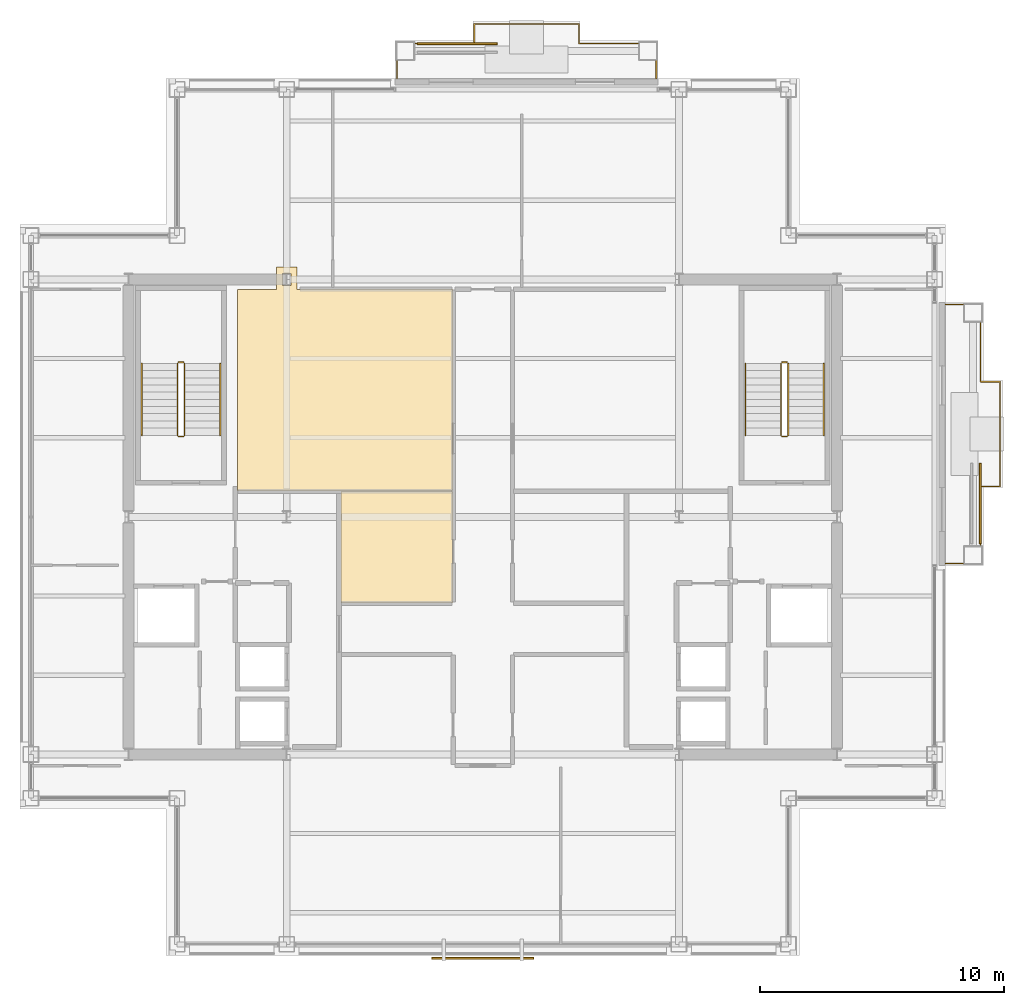
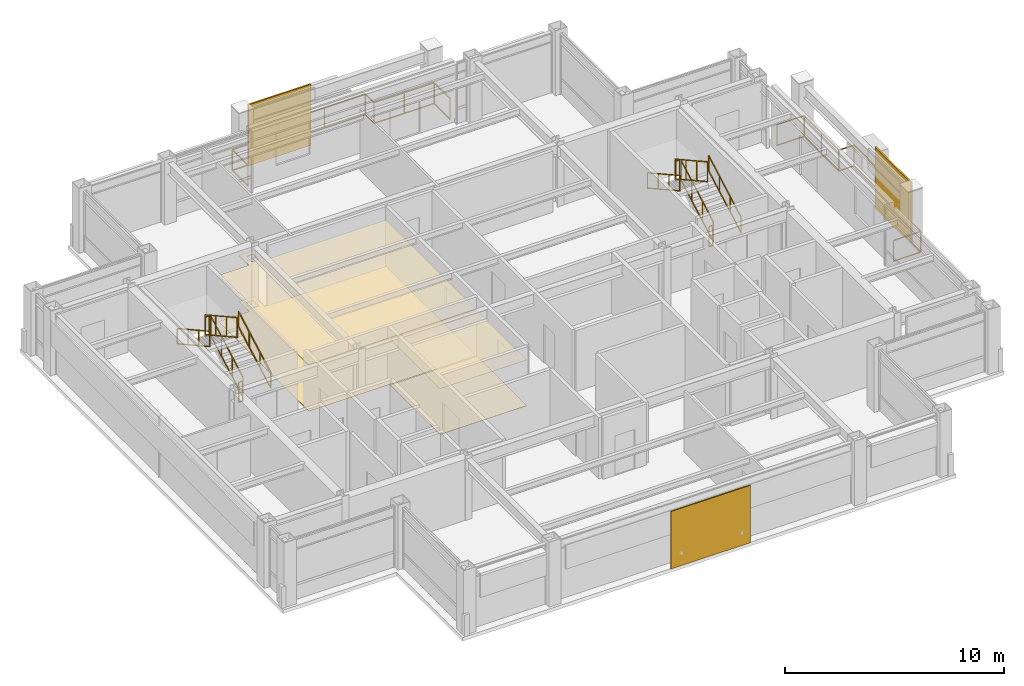
# One storey, part 22 of 23: 14 railings, 4 coverings, 3 shading devices.
"""IFC4 building model written with IfcOpenShell, lengths in metres."""

from ifc_helpers import new_model, si_unit, direction, frame, origin, origin_2d, place, context, subcontext, project, spatial, polyline, rectangle, outline, extrude, material, layer, layer_set, type_object, element, save


model = new_model("IFC4")

# Units and contexts
model_context = context("Model", 3, precision=1e-05, world=origin(), true_north=direction((0.0, 1.0)))
body_context = subcontext(model_context, "Body", "Model", "MODEL_VIEW")
ifc_project = project(units=[si_unit("LENGTHUNIT", "METRE"), si_unit("AREAUNIT", "SQUARE_METRE"), si_unit("VOLUMEUNIT", "CUBIC_METRE"), si_unit("PLANEANGLEUNIT", "RADIAN"), si_unit("MASSUNIT", "GRAM", prefix="KILO")], contexts=[model_context])

# Site, building, storey
site_placement = place(None, origin())
site = spatial("IfcSite", under=ifc_project, at=site_placement, CompositionType="ELEMENT")
building_placement = place(site_placement, origin())
building = spatial("IfcBuilding", under=site, at=building_placement, Name="Brelmoor Portico Tower", CompositionType="ELEMENT")
storey_placement = place(building_placement, frame((0.0, 0.0, 222.0)))
storey = spatial("IfcBuildingStorey", under=building, at=storey_placement, Name="L58", CompositionType="ELEMENT", Elevation=222.0)

# Coverings
ifc_material_1 = material(Name="Perforated Mineral-Fibre Acoustic Ceiling Tile", Category="gypsum")
ifc_layer_1 = layer(ifc_material_1, 0.02490234375)
ifc_layer_set_1 = layer_set([ifc_layer_1], Name="Perforated Mineral-Fibre Acoustic Ceiling Tile")
covering_type_1 = type_object("IfcCoveringType", Name="CV-CEIL-GYPSUM-25", PredefinedType="CEILING", material=ifc_layer_set_1)
covering_1_placement = place(storey_placement, frame((0.0, 0.0, 2.550048828125)))
element("IfcCovering", 1, at=covering_1_placement, inside=storey, type_object=covering_type_1, Name="L58 Acoustic Suspended Ceiling 02", PredefinedType="CEILING", context=body_context, shape_type="SweptSolid", body=[
    extrude(outline(polyline([(-5.820068359375, -3.510009765625), (-5.820068359375, 1.0400390625), (-1.239990234375, 1.0400390625), (-1.239990234375, -3.510009765625), (-5.820068359375, -3.510009765625)])), origin(), (0.0, 0.0, 1.0), 0.02490234375),
])
ifc_material_2 = material(Name="Slatted FSC Oak Acoustic Feature Ceiling", Category="timber")
ifc_layer_2 = layer(ifc_material_2, 0.052001953125)
ifc_layer_set_2 = layer_set([ifc_layer_2], Name="Slatted FSC Oak Acoustic Feature Ceiling")
covering_type_2 = type_object("IfcCoveringType", Name="CV-CEIL-TIMBER-52", PredefinedType="CEILING", material=ifc_layer_set_2)
covering_2_placement = place(storey_placement, frame((0.0, 0.0, 2.550048828125)))
element("IfcCovering", 2, at=covering_2_placement, inside=storey, type_object=covering_type_2, Name="L58 Acoustic Suspended Ceiling 01", PredefinedType="CEILING", context=body_context, shape_type="SweptSolid", body=[
    extrude(outline(polyline([(-10.080078125, 9.330078125), (-8.47509765625, 9.330078125), (-8.47509765625, 10.25), (-7.625, 10.25), (-7.625, 9.330078125), (-1.239990234375, 9.330078125), (-1.239990234375, 1.090087890625), (-10.080078125, 1.090087890625), (-10.080078125, 9.330078125)]), holes=[polyline([(-7.875, 9.5), (-7.875, 10.0), (-8.22509765625, 10.0), (-8.22509765625, 9.5), (-7.875, 9.5)])]), origin(), (0.0, 0.0, 1.0), 0.052001953125),
])
ifc_material_3 = material(Name="Rectified Vitrified Porcelain Floor Tile", Category="ceramic")
ifc_layer_3 = layer(ifc_material_3, 0.01806640625)
ifc_layer_set_3 = layer_set([ifc_layer_3], Name="Rectified Vitrified Porcelain Floor Tile")
covering_type_3 = type_object("IfcCoveringType", Name="CV-FLR-PORCELAIN-18", PredefinedType="FLOORING", material=ifc_layer_set_3)
covering_3_placement = place(storey_placement, origin())
element("IfcCovering", 3, at=covering_3_placement, inside=storey, type_object=covering_type_3, Name="L58 Architectural Floor Finish 01", PredefinedType="FLOORING", context=body_context, shape_type="SweptSolid", body=[
    extrude(outline(polyline([(-10.080078125, 9.330078125), (-8.47509765625, 9.330078125), (-8.47509765625, 10.25), (-7.625, 10.25), (-7.625, 9.330078125), (-1.239990234375, 9.330078125), (-1.239990234375, 1.090087890625), (-10.080078125, 1.090087890625), (-10.080078125, 9.330078125)]), holes=[polyline([(-7.875, 9.5), (-7.875, 10.0), (-8.22509765625, 10.0), (-8.22509765625, 9.5), (-7.875, 9.5)])]), origin(), (0.0, 0.0, 1.0), 0.01806640625),
])
ifc_material_4 = material(Name="Engineered Quarter-Sawn Oak Parquet Flooring", Category="timber")
ifc_layer_4 = layer(ifc_material_4, 0.02197265625)
ifc_layer_set_4 = layer_set([ifc_layer_4], Name="Engineered Quarter-Sawn Oak Parquet Flooring")
covering_type_4 = type_object("IfcCoveringType", Name="CV-FLR-TIMBER-22", PredefinedType="FLOORING", material=ifc_layer_set_4)
covering_4_placement = place(storey_placement, origin())
element("IfcCovering", 4, at=covering_4_placement, inside=storey, type_object=covering_type_4, Name="L58 Architectural Floor Finish 02", PredefinedType="FLOORING", context=body_context, shape_type="SweptSolid", body=[
    extrude(outline(polyline([(-5.820068359375, -3.510009765625), (-5.820068359375, 1.0400390625), (-1.239990234375, 1.0400390625), (-1.239990234375, -3.510009765625), (-5.820068359375, -3.510009765625)])), origin(), (0.0, 0.0, 1.0), 0.02197265625),
])

# Railings
ifc_material_5 = material(Name="Perforated Pale Champagne Aluminium Fretwork Guard", Category="aluminium")
railing_type_1 = type_object("IfcRailingType", Name="RL-BALUSTRADE-1200", PredefinedType="BALUSTRADE", material=ifc_material_5)
railing_1_placement = place(storey_placement, frame((-3.52001953125, 18.0, 0.0)))
element("IfcRailing", 5, at=railing_1_placement, inside=storey, type_object=railing_type_1, Name="L58 Tree Balcony Fretwork Balustrade N", PredefinedType="BALUSTRADE", context=body_context, shape_type="SweptSolid", body=[
    extrude(rectangle(XDim=0.048095703125, YDim=0.048095703125, at=origin_2d()), frame((0.0, 0.0, 1.17578125), z_axis=(0.0, 1.0, 0.0), x_axis=(-1.0, 0.0, 0.0)), (0.0, 0.0, 1.0), 1.429931640625),
    extrude(rectangle(XDim=0.048095703125, YDim=0.048095703125, at=origin_2d()), frame((0.0, 0.0, 0.02392578125), z_axis=(0.0, 1.0, 0.0), x_axis=(-1.0, 0.0, 0.0)), (0.0, 0.0, 1.0), 1.429931640625),
    extrude(rectangle(XDim=0.048095703125, YDim=0.048095703125, at=origin_2d()), frame((0.0, 1.429931640625, 1.17578125), z_axis=(1.0, 0.0, 0.0), x_axis=(0.0, 1.0, 0.0)), (0.0, 0.0, 1.0), 3.169921875),
    extrude(rectangle(XDim=0.048095703125, YDim=0.048095703125, at=origin_2d()), frame((0.0, 1.429931640625, 0.02392578125), z_axis=(1.0, 0.0, 0.0), x_axis=(0.0, 1.0, 0.0)), (0.0, 0.0, 1.0), 3.169921875),
    extrude(rectangle(XDim=0.048095703125, YDim=0.048095703125, at=origin_2d()), frame((3.169921875, 1.429931640625, 1.17578125), z_axis=(0.0, 1.0, 0.0), x_axis=(-1.0, 0.0, 0.0)), (0.0, 0.0, 1.0), 0.800048828125),
    extrude(rectangle(XDim=0.048095703125, YDim=0.048095703125, at=origin_2d()), frame((3.169921875, 1.429931640625, 0.02392578125), z_axis=(0.0, 1.0, 0.0), x_axis=(-1.0, 0.0, 0.0)), (0.0, 0.0, 1.0), 0.800048828125),
    extrude(rectangle(XDim=0.048095703125, YDim=0.048095703125, at=origin_2d()), frame((3.169921875, 2.22998046875, 1.17578125), z_axis=(1.0, 0.0, 0.0), x_axis=(0.0, 1.0, 0.0)), (0.0, 0.0, 1.0), 4.300048828125),
    extrude(rectangle(XDim=0.048095703125, YDim=0.048095703125, at=origin_2d()), frame((3.169921875, 2.22998046875, 0.02392578125), z_axis=(1.0, 0.0, 0.0), x_axis=(0.0, 1.0, 0.0)), (0.0, 0.0, 1.0), 4.300048828125),
    extrude(rectangle(XDim=0.048095703125, YDim=0.048095703125, at=origin_2d()), frame((7.469970703125, 2.22998046875, 1.17578125), z_axis=(0.0, -1.0, 0.0), x_axis=(1.0, 0.0, 0.0)), (0.0, 0.0, 1.0), 0.800048828125),
    extrude(rectangle(XDim=0.048095703125, YDim=0.048095703125, at=origin_2d()), frame((7.469970703125, 2.22998046875, 0.02392578125), z_axis=(0.0, -1.0, 0.0), x_axis=(1.0, 0.0, 0.0)), (0.0, 0.0, 1.0), 0.800048828125),
    extrude(rectangle(XDim=0.048095703125, YDim=0.048095703125, at=origin_2d()), frame((7.469970703125, 1.429931640625, 1.17578125), z_axis=(1.0, 0.0, 0.0), x_axis=(0.0, 1.0, 0.0)), (0.0, 0.0, 1.0), 3.170166015625),
    extrude(rectangle(XDim=0.048095703125, YDim=0.048095703125, at=origin_2d()), frame((7.469970703125, 1.429931640625, 0.02392578125), z_axis=(1.0, 0.0, 0.0), x_axis=(0.0, 1.0, 0.0)), (0.0, 0.0, 1.0), 3.170166015625),
    extrude(rectangle(XDim=0.048095703125, YDim=0.048095703125, at=origin_2d()), frame((10.64013671875, 1.429931640625, 1.17578125), z_axis=(0.0, -1.0, 0.0), x_axis=(1.0, 0.0, 0.0)), (0.0, 0.0, 1.0), 1.429931640625),
    extrude(rectangle(XDim=0.048095703125, YDim=0.048095703125, at=origin_2d()), frame((10.64013671875, 1.429931640625, 0.02392578125), z_axis=(0.0, -1.0, 0.0), x_axis=(1.0, 0.0, 0.0)), (0.0, 0.0, 1.0), 1.429931640625),
    extrude(rectangle(XDim=0.0419921875, YDim=0.0419921875, at=origin_2d()), origin(), (0.0, 0.0, 1.0), 1.15185546875),
    extrude(rectangle(XDim=0.0419921875, YDim=0.0419921875, at=origin_2d()), frame((0.0, 1.429931640625, 0.0)), (0.0, 0.0, 1.0), 1.15185546875),
    extrude(rectangle(XDim=0.0419921875, YDim=0.0419921875, at=origin_2d()), frame((1.5849609375, 1.429931640625, 0.0)), (0.0, 0.0, 1.0), 1.15185546875),
    extrude(rectangle(XDim=0.0419921875, YDim=0.0419921875, at=origin_2d()), frame((3.169921875, 1.429931640625, 0.0)), (0.0, 0.0, 1.0), 1.15185546875),
    extrude(rectangle(XDim=0.0419921875, YDim=0.0419921875, at=origin_2d()), frame((3.169921875, 2.22998046875, 0.0)), (0.0, 0.0, 1.0), 1.15185546875),
    extrude(rectangle(XDim=0.0419921875, YDim=0.0419921875, at=origin_2d()), frame((5.31982421875, 2.22998046875, 0.0)), (0.0, 0.0, 1.0), 1.15185546875),
    extrude(rectangle(XDim=0.0419921875, YDim=0.0419921875, at=origin_2d()), frame((7.469970703125, 2.22998046875, 0.0)), (0.0, 0.0, 1.0), 1.15185546875),
    extrude(rectangle(XDim=0.0419921875, YDim=0.0419921875, at=origin_2d()), frame((7.469970703125, 1.429931640625, 0.0)), (0.0, 0.0, 1.0), 1.15185546875),
    extrude(rectangle(XDim=0.0419921875, YDim=0.0419921875, at=origin_2d()), frame((9.05517578125, 1.429931640625, 0.0)), (0.0, 0.0, 1.0), 1.15185546875),
    extrude(rectangle(XDim=0.0419921875, YDim=0.0419921875, at=origin_2d()), frame((10.64013671875, 1.429931640625, 0.0)), (0.0, 0.0, 1.0), 1.15185546875),
    extrude(rectangle(XDim=0.0419921875, YDim=0.0419921875, at=origin_2d()), frame((10.64013671875, 0.0, 0.0)), (0.0, 0.0, 1.0), 1.15185546875),
])
railing_2_placement = place(storey_placement, frame((19.0, -1.919921875, 0.0)))
element("IfcRailing", 6, at=railing_2_placement, inside=storey, type_object=railing_type_1, Name="L58 Tree Balcony Fretwork Balustrade E", PredefinedType="BALUSTRADE", context=body_context, shape_type="SweptSolid", body=[
    extrude(rectangle(XDim=0.048095703125, YDim=0.048095703125, at=origin_2d()), frame((0.0, 0.0, 1.17578125), z_axis=(1.0, 0.0, 0.0), x_axis=(0.0, 1.0, 0.0)), (0.0, 0.0, 1.0), 1.429931640625),
    extrude(rectangle(XDim=0.048095703125, YDim=0.048095703125, at=origin_2d()), frame((0.0, 0.0, 0.02392578125), z_axis=(1.0, 0.0, 0.0), x_axis=(0.0, 1.0, 0.0)), (0.0, 0.0, 1.0), 1.429931640625),
    extrude(rectangle(XDim=0.048095703125, YDim=0.048095703125, at=origin_2d()), frame((1.429931640625, 0.0, 1.17578125), z_axis=(0.0, 1.0, 0.0), x_axis=(-1.0, 0.0, 0.0)), (0.0, 0.0, 1.0), 3.169921875),
    extrude(rectangle(XDim=0.048095703125, YDim=0.048095703125, at=origin_2d()), frame((1.429931640625, 0.0, 0.02392578125), z_axis=(0.0, 1.0, 0.0), x_axis=(-1.0, 0.0, 0.0)), (0.0, 0.0, 1.0), 3.169921875),
    extrude(rectangle(XDim=0.048095703125, YDim=0.048095703125, at=origin_2d()), frame((1.429931640625, 3.169921875, 1.17578125), z_axis=(1.0, 0.0, 0.0), x_axis=(0.0, 1.0, 0.0)), (0.0, 0.0, 1.0), 0.800048828125),
    extrude(rectangle(XDim=0.048095703125, YDim=0.048095703125, at=origin_2d()), frame((1.429931640625, 3.169921875, 0.02392578125), z_axis=(1.0, 0.0, 0.0), x_axis=(0.0, 1.0, 0.0)), (0.0, 0.0, 1.0), 0.800048828125),
    extrude(rectangle(XDim=0.048095703125, YDim=0.048095703125, at=origin_2d()), frame((2.22998046875, 3.169921875, 1.17578125), z_axis=(0.0, 1.0, 0.0), x_axis=(-1.0, 0.0, 0.0)), (0.0, 0.0, 1.0), 4.300048828125),
    extrude(rectangle(XDim=0.048095703125, YDim=0.048095703125, at=origin_2d()), frame((2.22998046875, 3.169921875, 0.02392578125), z_axis=(0.0, 1.0, 0.0), x_axis=(-1.0, 0.0, 0.0)), (0.0, 0.0, 1.0), 4.300048828125),
    extrude(rectangle(XDim=0.048095703125, YDim=0.048095703125, at=origin_2d()), frame((2.22998046875, 7.469970703125, 1.17578125), z_axis=(-1.0, 0.0, 0.0), x_axis=(0.0, -1.0, 0.0)), (0.0, 0.0, 1.0), 0.800048828125),
    extrude(rectangle(XDim=0.048095703125, YDim=0.048095703125, at=origin_2d()), frame((2.22998046875, 7.469970703125, 0.02392578125), z_axis=(-1.0, 0.0, 0.0), x_axis=(0.0, -1.0, 0.0)), (0.0, 0.0, 1.0), 0.800048828125),
    extrude(rectangle(XDim=0.048095703125, YDim=0.048095703125, at=origin_2d()), frame((1.429931640625, 7.469970703125, 1.17578125), z_axis=(0.0, 1.0, 0.0), x_axis=(-1.0, 0.0, 0.0)), (0.0, 0.0, 1.0), 3.169921875),
    extrude(rectangle(XDim=0.048095703125, YDim=0.048095703125, at=origin_2d()), frame((1.429931640625, 7.469970703125, 0.02392578125), z_axis=(0.0, 1.0, 0.0), x_axis=(-1.0, 0.0, 0.0)), (0.0, 0.0, 1.0), 3.169921875),
    extrude(rectangle(XDim=0.048095703125, YDim=0.048095703125, at=origin_2d()), frame((1.429931640625, 10.639892578125, 1.17578125), z_axis=(-1.0, 0.0, 0.0), x_axis=(0.0, -1.0, 0.0)), (0.0, 0.0, 1.0), 1.429931640625),
    extrude(rectangle(XDim=0.048095703125, YDim=0.048095703125, at=origin_2d()), frame((1.429931640625, 10.639892578125, 0.02392578125), z_axis=(-1.0, 0.0, 0.0), x_axis=(0.0, -1.0, 0.0)), (0.0, 0.0, 1.0), 1.429931640625),
    extrude(rectangle(XDim=0.0419921875, YDim=0.0419921875, at=origin_2d()), origin(), (0.0, 0.0, 1.0), 1.15185546875),
    extrude(rectangle(XDim=0.0419921875, YDim=0.0419921875, at=origin_2d()), frame((1.429931640625, 0.0, 0.0)), (0.0, 0.0, 1.0), 1.15185546875),
    extrude(rectangle(XDim=0.0419921875, YDim=0.0419921875, at=origin_2d()), frame((1.429931640625, 1.5849609375, 0.0)), (0.0, 0.0, 1.0), 1.15185546875),
    extrude(rectangle(XDim=0.0419921875, YDim=0.0419921875, at=origin_2d()), frame((1.429931640625, 3.169921875, 0.0)), (0.0, 0.0, 1.0), 1.15185546875),
    extrude(rectangle(XDim=0.0419921875, YDim=0.0419921875, at=origin_2d()), frame((2.22998046875, 3.169921875, 0.0)), (0.0, 0.0, 1.0), 1.15185546875),
    extrude(rectangle(XDim=0.0419921875, YDim=0.0419921875, at=origin_2d()), frame((2.22998046875, 5.31982421875, 0.0)), (0.0, 0.0, 1.0), 1.15185546875),
    extrude(rectangle(XDim=0.0419921875, YDim=0.0419921875, at=origin_2d()), frame((2.22998046875, 7.469970703125, 0.0)), (0.0, 0.0, 1.0), 1.15185546875),
    extrude(rectangle(XDim=0.0419921875, YDim=0.0419921875, at=origin_2d()), frame((1.429931640625, 7.469970703125, 0.0)), (0.0, 0.0, 1.0), 1.15185546875),
    extrude(rectangle(XDim=0.0419921875, YDim=0.0419921875, at=origin_2d()), frame((1.429931640625, 9.054931640625, 0.0)), (0.0, 0.0, 1.0), 1.15185546875),
    extrude(rectangle(XDim=0.0419921875, YDim=0.0419921875, at=origin_2d()), frame((1.429931640625, 10.639892578125, 0.0)), (0.0, 0.0, 1.0), 1.15185546875),
    extrude(rectangle(XDim=0.0419921875, YDim=0.0419921875, at=origin_2d()), frame((0.0, 10.639892578125, 0.0)), (0.0, 0.0, 1.0), 1.15185546875),
])
ifc_material_6 = material(Name="Painted Tubular Steel Q235B", Category="steel")
railing_type_2 = type_object("IfcRailingType", Name="RL-STAIR-GUARD", PredefinedType="GUARDRAIL", material=ifc_material_6)
railing_3_placement = place(storey_placement, frame((-12.239990234375, 3.35009765625, 0.16357421875)))
element("IfcRailing", 7, at=railing_3_placement, inside=storey, type_object=railing_type_2, Name="L58 ST-W stair guard 1", PredefinedType="GUARDRAIL", context=body_context, shape_type="SweptSolid", body=[
    extrude(rectangle(XDim=0.048095703125, YDim=0.048095703125, at=origin_2d()), frame((0.0, 0.0, 1.1259765625), z_axis=(0.0, 0.874457516365, 0.485102104791), x_axis=(-1.0, 0.0, 0.0)), (0.0, 0.0, 1.0), 3.37353515625),
    extrude(rectangle(XDim=0.048095703125, YDim=0.048095703125, at=origin_2d()), frame((0.0, 0.0, 0.02392578125), z_axis=(0.0, 0.874457516365, 0.485102104791), x_axis=(-1.0, 0.0, 0.0)), (0.0, 0.0, 1.0), 3.37353515625),
    extrude(rectangle(XDim=0.0419921875, YDim=0.0419921875, at=origin_2d()), origin(), (0.0, 0.0, 1.0), 1.101806640625),
    extrude(rectangle(XDim=0.0419921875, YDim=0.0419921875, at=origin_2d()), frame((0.0, 0.9833984375, 0.54541015625)), (0.0, 0.0, 1.0), 1.101806640625),
    extrude(rectangle(XDim=0.0419921875, YDim=0.0419921875, at=origin_2d()), frame((0.0, 1.966552734375, 1.091064453125)), (0.0, 0.0, 1.0), 1.101806640625),
    extrude(rectangle(XDim=0.0419921875, YDim=0.0419921875, at=origin_2d()), frame((0.0, 2.949951171875, 1.636474609375)), (0.0, 0.0, 1.0), 1.101806640625),
])
railing_4_placement = place(storey_placement, frame((-12.2900390625, 6.35009765625, 1.800048828125)))
element("IfcRailing", 8, at=railing_4_placement, inside=storey, type_object=railing_type_2, Name="L58 ST-W stair guard 2", PredefinedType="GUARDRAIL", context=body_context, shape_type="SweptSolid", body=[
    extrude(rectangle(XDim=0.048095703125, YDim=0.048095703125, at=origin_2d()), frame((0.0, 0.0, 1.1259765625), z_axis=(-1.0, 0.0, 0.0), x_axis=(0.0, -1.0, 0.0)), (0.0, 0.0, 1.0), 0.199951171875),
    extrude(rectangle(XDim=0.048095703125, YDim=0.048095703125, at=origin_2d()), frame((0.0, 0.0, 0.02392578125), z_axis=(-1.0, 0.0, 0.0), x_axis=(0.0, -1.0, 0.0)), (0.0, 0.0, 1.0), 0.199951171875),
    extrude(rectangle(XDim=0.0419921875, YDim=0.0419921875, at=origin_2d()), origin(), (0.0, 0.0, 1.0), 1.101806640625),
    extrude(rectangle(XDim=0.0419921875, YDim=0.0419921875, at=origin_2d()), frame((-0.199951171875, 0.0, 0.0)), (0.0, 0.0, 1.0), 1.101806640625),
])
railing_5_placement = place(storey_placement, frame((-12.5400390625, 6.300048828125, 1.963623046875)))
element("IfcRailing", 9, at=railing_5_placement, inside=storey, type_object=railing_type_2, Name="L58 ST-W stair guard 3", PredefinedType="GUARDRAIL", context=body_context, shape_type="SweptSolid", body=[
    extrude(rectangle(XDim=0.048095703125, YDim=0.048095703125, at=origin_2d()), frame((0.0, 0.0, 1.1259765625), z_axis=(0.0, -0.874457516365, 0.485102104791), x_axis=(1.0, 0.0, 0.0)), (0.0, 0.0, 1.0), 3.37353515625),
    extrude(rectangle(XDim=0.048095703125, YDim=0.048095703125, at=origin_2d()), frame((0.0, 0.0, 0.02392578125), z_axis=(0.0, -0.874457516365, 0.485102104791), x_axis=(1.0, 0.0, 0.0)), (0.0, 0.0, 1.0), 3.37353515625),
    extrude(rectangle(XDim=0.0419921875, YDim=0.0419921875, at=origin_2d()), origin(), (0.0, 0.0, 1.0), 1.101806640625),
    extrude(rectangle(XDim=0.0419921875, YDim=0.0419921875, at=origin_2d()), frame((0.0, -0.9833984375, 0.54541015625)), (0.0, 0.0, 1.0), 1.101806640625),
    extrude(rectangle(XDim=0.0419921875, YDim=0.0419921875, at=origin_2d()), frame((0.0, -1.966552734375, 1.091064453125)), (0.0, 0.0, 1.0), 1.101806640625),
    extrude(rectangle(XDim=0.0419921875, YDim=0.0419921875, at=origin_2d()), frame((0.0, -2.949951171875, 1.636474609375)), (0.0, 0.0, 1.0), 1.101806640625),
])
railing_6_placement = place(storey_placement, frame((-12.2900390625, 3.300048828125, 0.0)))
element("IfcRailing", 10, at=railing_6_placement, inside=storey, type_object=railing_type_2, Name="L58 ST-W stair guard 4", PredefinedType="GUARDRAIL", context=body_context, shape_type="SweptSolid", body=[
    extrude(rectangle(XDim=0.048095703125, YDim=0.048095703125, at=origin_2d()), frame((0.0, 0.0, 1.1259765625), z_axis=(-1.0, 0.0, 0.0), x_axis=(0.0, -1.0, 0.0)), (0.0, 0.0, 1.0), 0.199951171875),
    extrude(rectangle(XDim=0.048095703125, YDim=0.048095703125, at=origin_2d()), frame((0.0, 0.0, 0.02392578125), z_axis=(-1.0, 0.0, 0.0), x_axis=(0.0, -1.0, 0.0)), (0.0, 0.0, 1.0), 0.199951171875),
    extrude(rectangle(XDim=0.0419921875, YDim=0.0419921875, at=origin_2d()), origin(), (0.0, 0.0, 1.0), 1.101806640625),
    extrude(rectangle(XDim=0.0419921875, YDim=0.0419921875, at=origin_2d()), frame((-0.199951171875, 0.0, 0.0)), (0.0, 0.0, 1.0), 1.101806640625),
])
railing_7_placement = place(storey_placement, frame((12.5400390625, 3.35009765625, 0.16357421875)))
element("IfcRailing", 11, at=railing_7_placement, inside=storey, type_object=railing_type_2, Name="L58 ST-E stair guard 1", PredefinedType="GUARDRAIL", context=body_context, shape_type="SweptSolid", body=[
    extrude(rectangle(XDim=0.048095703125, YDim=0.048095703125, at=origin_2d()), frame((0.0, 0.0, 1.1259765625), z_axis=(0.0, 0.874457516365, 0.485102104791), x_axis=(-1.0, 0.0, 0.0)), (0.0, 0.0, 1.0), 3.37353515625),
    extrude(rectangle(XDim=0.048095703125, YDim=0.048095703125, at=origin_2d()), frame((0.0, 0.0, 0.02392578125), z_axis=(0.0, 0.874457516365, 0.485102104791), x_axis=(-1.0, 0.0, 0.0)), (0.0, 0.0, 1.0), 3.37353515625),
    extrude(rectangle(XDim=0.0419921875, YDim=0.0419921875, at=origin_2d()), origin(), (0.0, 0.0, 1.0), 1.101806640625),
    extrude(rectangle(XDim=0.0419921875, YDim=0.0419921875, at=origin_2d()), frame((0.0, 0.9833984375, 0.54541015625)), (0.0, 0.0, 1.0), 1.101806640625),
    extrude(rectangle(XDim=0.0419921875, YDim=0.0419921875, at=origin_2d()), frame((0.0, 1.966552734375, 1.091064453125)), (0.0, 0.0, 1.0), 1.101806640625),
    extrude(rectangle(XDim=0.0419921875, YDim=0.0419921875, at=origin_2d()), frame((0.0, 2.949951171875, 1.636474609375)), (0.0, 0.0, 1.0), 1.101806640625),
])
railing_8_placement = place(storey_placement, frame((12.489990234375, 6.35009765625, 1.800048828125)))
element("IfcRailing", 12, at=railing_8_placement, inside=storey, type_object=railing_type_2, Name="L58 ST-E stair guard 2", PredefinedType="GUARDRAIL", context=body_context, shape_type="SweptSolid", body=[
    extrude(rectangle(XDim=0.048095703125, YDim=0.048095703125, at=origin_2d()), frame((0.0, 0.0, 1.1259765625), z_axis=(-1.0, 0.0, 0.0), x_axis=(0.0, -1.0, 0.0)), (0.0, 0.0, 1.0), 0.199951171875),
    extrude(rectangle(XDim=0.048095703125, YDim=0.048095703125, at=origin_2d()), frame((0.0, 0.0, 0.02392578125), z_axis=(-1.0, 0.0, 0.0), x_axis=(0.0, -1.0, 0.0)), (0.0, 0.0, 1.0), 0.199951171875),
    extrude(rectangle(XDim=0.0419921875, YDim=0.0419921875, at=origin_2d()), origin(), (0.0, 0.0, 1.0), 1.101806640625),
    extrude(rectangle(XDim=0.0419921875, YDim=0.0419921875, at=origin_2d()), frame((-0.199951171875, 0.0, 0.0)), (0.0, 0.0, 1.0), 1.101806640625),
])
railing_9_placement = place(storey_placement, frame((12.239990234375, 6.300048828125, 1.963623046875)))
element("IfcRailing", 13, at=railing_9_placement, inside=storey, type_object=railing_type_2, Name="L58 ST-E stair guard 3", PredefinedType="GUARDRAIL", context=body_context, shape_type="SweptSolid", body=[
    extrude(rectangle(XDim=0.048095703125, YDim=0.048095703125, at=origin_2d()), frame((0.0, 0.0, 1.1259765625), z_axis=(0.0, -0.874457516365, 0.485102104791), x_axis=(1.0, 0.0, 0.0)), (0.0, 0.0, 1.0), 3.37353515625),
    extrude(rectangle(XDim=0.048095703125, YDim=0.048095703125, at=origin_2d()), frame((0.0, 0.0, 0.02392578125), z_axis=(0.0, -0.874457516365, 0.485102104791), x_axis=(1.0, 0.0, 0.0)), (0.0, 0.0, 1.0), 3.37353515625),
    extrude(rectangle(XDim=0.0419921875, YDim=0.0419921875, at=origin_2d()), origin(), (0.0, 0.0, 1.0), 1.101806640625),
    extrude(rectangle(XDim=0.0419921875, YDim=0.0419921875, at=origin_2d()), frame((0.0, -0.9833984375, 0.54541015625)), (0.0, 0.0, 1.0), 1.101806640625),
    extrude(rectangle(XDim=0.0419921875, YDim=0.0419921875, at=origin_2d()), frame((0.0, -1.966552734375, 1.091064453125)), (0.0, 0.0, 1.0), 1.101806640625),
    extrude(rectangle(XDim=0.0419921875, YDim=0.0419921875, at=origin_2d()), frame((0.0, -2.949951171875, 1.636474609375)), (0.0, 0.0, 1.0), 1.101806640625),
])
railing_10_placement = place(storey_placement, frame((12.489990234375, 3.300048828125, 0.0)))
element("IfcRailing", 14, at=railing_10_placement, inside=storey, type_object=railing_type_2, Name="L58 ST-E stair guard 4", PredefinedType="GUARDRAIL", context=body_context, shape_type="SweptSolid", body=[
    extrude(rectangle(XDim=0.048095703125, YDim=0.048095703125, at=origin_2d()), frame((0.0, 0.0, 1.1259765625), z_axis=(-1.0, 0.0, 0.0), x_axis=(0.0, -1.0, 0.0)), (0.0, 0.0, 1.0), 0.199951171875),
    extrude(rectangle(XDim=0.048095703125, YDim=0.048095703125, at=origin_2d()), frame((0.0, 0.0, 0.02392578125), z_axis=(-1.0, 0.0, 0.0), x_axis=(0.0, -1.0, 0.0)), (0.0, 0.0, 1.0), 0.199951171875),
    extrude(rectangle(XDim=0.0419921875, YDim=0.0419921875, at=origin_2d()), origin(), (0.0, 0.0, 1.0), 1.101806640625),
    extrude(rectangle(XDim=0.0419921875, YDim=0.0419921875, at=origin_2d()), frame((-0.199951171875, 0.0, 0.0)), (0.0, 0.0, 1.0), 1.101806640625),
])
ifc_material_7 = material(Name="Brushed Stainless Steel 304", Category="steel")
railing_type_3 = type_object("IfcRailingType", Name="RL-STAIR-HANDRAIL", PredefinedType="HANDRAIL", material=ifc_material_7)
railing_11_placement = place(storey_placement, frame((-10.780029296875, 3.35009765625, 0.16357421875)))
element("IfcRailing", 15, at=railing_11_placement, inside=storey, type_object=railing_type_3, Name="L58 ST-W stair handrail 1", PredefinedType="HANDRAIL", context=body_context, shape_type="SweptSolid", body=[
    extrude(rectangle(XDim=0.048095703125, YDim=0.048095703125, at=origin_2d()), frame((0.0, 0.0, 0.8759765625), z_axis=(0.0, 0.874457516365, 0.485102104791), x_axis=(-1.0, 0.0, 0.0)), (0.0, 0.0, 1.0), 3.37353515625),
    extrude(rectangle(XDim=0.048095703125, YDim=0.048095703125, at=origin_2d()), frame((0.0, 0.0, 0.02392578125), z_axis=(0.0, 0.874457516365, 0.485102104791), x_axis=(-1.0, 0.0, 0.0)), (0.0, 0.0, 1.0), 3.37353515625),
    extrude(rectangle(XDim=0.0419921875, YDim=0.0419921875, at=origin_2d()), origin(), (0.0, 0.0, 1.0), 0.851806640625),
    extrude(rectangle(XDim=0.0419921875, YDim=0.0419921875, at=origin_2d()), frame((0.0, 0.9833984375, 0.54541015625)), (0.0, 0.0, 1.0), 0.851806640625),
    extrude(rectangle(XDim=0.0419921875, YDim=0.0419921875, at=origin_2d()), frame((0.0, 1.966552734375, 1.091064453125)), (0.0, 0.0, 1.0), 0.851806640625),
    extrude(rectangle(XDim=0.0419921875, YDim=0.0419921875, at=origin_2d()), frame((0.0, 2.949951171875, 1.636474609375)), (0.0, 0.0, 1.0), 0.851806640625),
])
railing_12_placement = place(storey_placement, frame((-14.0, 6.300048828125, 1.963623046875)))
element("IfcRailing", 16, at=railing_12_placement, inside=storey, type_object=railing_type_3, Name="L58 ST-W stair handrail 2", PredefinedType="HANDRAIL", context=body_context, shape_type="SweptSolid", body=[
    extrude(rectangle(XDim=0.048095703125, YDim=0.048095703125, at=origin_2d()), frame((0.0, 0.0, 0.8759765625), z_axis=(0.0, -0.874457516365, 0.485102104791), x_axis=(1.0, 0.0, 0.0)), (0.0, 0.0, 1.0), 3.37353515625),
    extrude(rectangle(XDim=0.048095703125, YDim=0.048095703125, at=origin_2d()), frame((0.0, 0.0, 0.02392578125), z_axis=(0.0, -0.874457516365, 0.485102104791), x_axis=(1.0, 0.0, 0.0)), (0.0, 0.0, 1.0), 3.37353515625),
    extrude(rectangle(XDim=0.0419921875, YDim=0.0419921875, at=origin_2d()), origin(), (0.0, 0.0, 1.0), 0.851806640625),
    extrude(rectangle(XDim=0.0419921875, YDim=0.0419921875, at=origin_2d()), frame((0.0, -0.9833984375, 0.54541015625)), (0.0, 0.0, 1.0), 0.851806640625),
    extrude(rectangle(XDim=0.0419921875, YDim=0.0419921875, at=origin_2d()), frame((0.0, -1.966552734375, 1.091064453125)), (0.0, 0.0, 1.0), 0.851806640625),
    extrude(rectangle(XDim=0.0419921875, YDim=0.0419921875, at=origin_2d()), frame((0.0, -2.949951171875, 1.636474609375)), (0.0, 0.0, 1.0), 0.851806640625),
])
railing_13_placement = place(storey_placement, frame((14.0, 3.35009765625, 0.16357421875)))
element("IfcRailing", 17, at=railing_13_placement, inside=storey, type_object=railing_type_3, Name="L58 ST-E stair handrail 1", PredefinedType="HANDRAIL", context=body_context, shape_type="SweptSolid", body=[
    extrude(rectangle(XDim=0.048095703125, YDim=0.048095703125, at=origin_2d()), frame((0.0, 0.0, 0.8759765625), z_axis=(0.0, 0.874457516365, 0.485102104791), x_axis=(-1.0, 0.0, 0.0)), (0.0, 0.0, 1.0), 3.37353515625),
    extrude(rectangle(XDim=0.048095703125, YDim=0.048095703125, at=origin_2d()), frame((0.0, 0.0, 0.02392578125), z_axis=(0.0, 0.874457516365, 0.485102104791), x_axis=(-1.0, 0.0, 0.0)), (0.0, 0.0, 1.0), 3.37353515625),
    extrude(rectangle(XDim=0.0419921875, YDim=0.0419921875, at=origin_2d()), origin(), (0.0, 0.0, 1.0), 0.851806640625),
    extrude(rectangle(XDim=0.0419921875, YDim=0.0419921875, at=origin_2d()), frame((0.0, 0.9833984375, 0.54541015625)), (0.0, 0.0, 1.0), 0.851806640625),
    extrude(rectangle(XDim=0.0419921875, YDim=0.0419921875, at=origin_2d()), frame((0.0, 1.966552734375, 1.091064453125)), (0.0, 0.0, 1.0), 0.851806640625),
    extrude(rectangle(XDim=0.0419921875, YDim=0.0419921875, at=origin_2d()), frame((0.0, 2.949951171875, 1.636474609375)), (0.0, 0.0, 1.0), 0.851806640625),
])
railing_14_placement = place(storey_placement, frame((10.780029296875, 6.300048828125, 1.963623046875)))
element("IfcRailing", 18, at=railing_14_placement, inside=storey, type_object=railing_type_3, Name="L58 ST-E stair handrail 2", PredefinedType="HANDRAIL", context=body_context, shape_type="SweptSolid", body=[
    extrude(rectangle(XDim=0.048095703125, YDim=0.048095703125, at=origin_2d()), frame((0.0, 0.0, 0.8759765625), z_axis=(0.0, -0.874457516365, 0.485102104791), x_axis=(1.0, 0.0, 0.0)), (0.0, 0.0, 1.0), 3.37353515625),
    extrude(rectangle(XDim=0.048095703125, YDim=0.048095703125, at=origin_2d()), frame((0.0, 0.0, 0.02392578125), z_axis=(0.0, -0.874457516365, 0.485102104791), x_axis=(1.0, 0.0, 0.0)), (0.0, 0.0, 1.0), 3.37353515625),
    extrude(rectangle(XDim=0.0419921875, YDim=0.0419921875, at=origin_2d()), origin(), (0.0, 0.0, 1.0), 0.851806640625),
    extrude(rectangle(XDim=0.0419921875, YDim=0.0419921875, at=origin_2d()), frame((0.0, -0.9833984375, 0.54541015625)), (0.0, 0.0, 1.0), 0.851806640625),
    extrude(rectangle(XDim=0.0419921875, YDim=0.0419921875, at=origin_2d()), frame((0.0, -1.966552734375, 1.091064453125)), (0.0, 0.0, 1.0), 0.851806640625),
    extrude(rectangle(XDim=0.0419921875, YDim=0.0419921875, at=origin_2d()), frame((0.0, -2.949951171875, 1.636474609375)), (0.0, 0.0, 1.0), 0.851806640625),
])

# Shading devices
ifc_material_8 = material(Name="Powder-Coated Aluminium Shuttered Jalousie", Category="aluminium")
ifc_layer_5 = layer(ifc_material_8, 0.080078125)
ifc_layer_set_5 = layer_set([ifc_layer_5], Name="Powder-Coated Aluminium Shuttered Jalousie")
shading_device_type_1 = type_object("IfcShadingDeviceType", Name="SD-JALOUSIE-LOGGIA", PredefinedType="JALOUSIE", material=ifc_layer_set_5)
for number, where, z_axis, x_axis, name in (
    (19, (-1.050048828125, 19.429931640625, 0.0), (0.0, 0.0, 1.0), (1.0, 0.0, 0.0), "L58 Loggia Shuttered Jalousie N"),
    (20, (20.429931640625, 0.550048828125, 0.0), (0.0, 0.0, 1.0), (0.0, 1.0, 0.0), "L58 Loggia Shuttered Jalousie E"),
):
    element("IfcShadingDevice", number, at=place(storey_placement, frame(where, z_axis=z_axis, x_axis=x_axis)), inside=storey, type_object=shading_device_type_1, Name=name, PredefinedType="JALOUSIE", context=body_context, shape_type="SweptSolid", body=[
        extrude(rectangle(XDim=3.300048828125, YDim=0.080078125, at=origin_2d()), origin(), (0.0, 0.0, 1.0), 3.39990234375),
    ])
ifc_material_9 = material(Name="Perforated Pale Champagne Aluminium Solar Screen", Category="aluminium")
ifc_layer_6 = layer(ifc_material_9, 0.06494140625)
ifc_layer_set_6 = layer_set([ifc_layer_6], Name="Perforated Pale Champagne Aluminium Solar Screen")
shading_device_type_2 = type_object("IfcShadingDeviceType", Name="SD-SOLAR-SCREEN", PredefinedType="USERDEFINED", material=ifc_layer_set_6)
shading_device_placement = place(storey_placement, frame((0.0, -18.1201171875, 0.10009765625), z_axis=(0.0, 0.0, 1.0), x_axis=(1.0, 0.0, 0.0)))
element("IfcShadingDevice", 21, at=shading_device_placement, inside=storey, type_object=shading_device_type_2, Name="L58 Perforated Solar Screen S1", ObjectType="SCREEN", PredefinedType="USERDEFINED", context=body_context, shape_type="SweptSolid", body=[
    extrude(rectangle(XDim=4.199951171875, YDim=0.06494140625, at=origin_2d()), origin(), (0.0, 0.0, 1.0), 3.199951171875),
])

save(model, "model.ifc")
